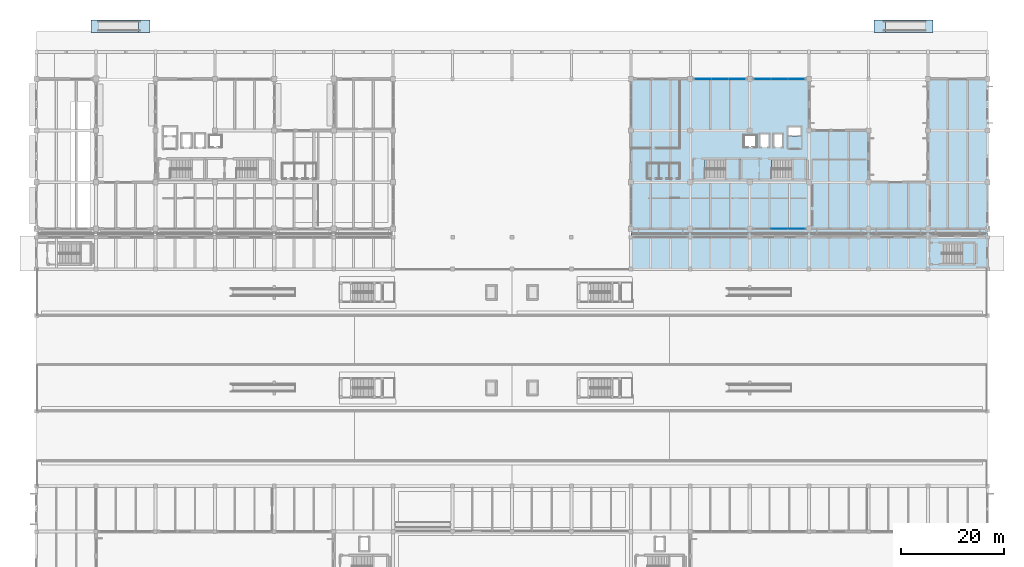
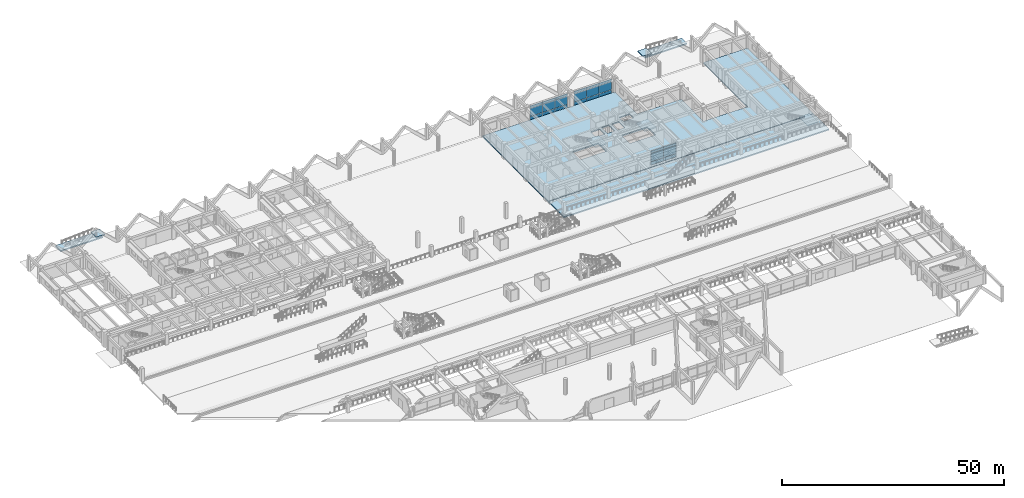
# One storey, part 76 of 109: 24 plates, 9 slabs, 8 elements without a shape of their own.
"""IFC4 building model written with IfcOpenShell, lengths in metres."""

from ifc_helpers import new_model, si_unit, direction, frame, origin, origin_2d, place, context, subcontext, project, spatial, polyline, rectangle, outline, extrude, material, layer, layer_set, type_object, element, aggregate, save


model = new_model("IFC4")

# Units and contexts
model_context = context("Model", 3, precision=1e-05, world=origin(), true_north=direction((0.0, 1.0)))
body_context = subcontext(model_context, "Body", "Model", "MODEL_VIEW")
ifc_project = project(units=[si_unit("LENGTHUNIT", "METRE"), si_unit("AREAUNIT", "SQUARE_METRE"), si_unit("VOLUMEUNIT", "CUBIC_METRE"), si_unit("PLANEANGLEUNIT", "RADIAN"), si_unit("MASSUNIT", "GRAM", prefix="KILO")], contexts=[model_context])

# Site, building, storey
site_placement = place(None, origin())
site = spatial("IfcSite", under=ifc_project, at=site_placement, CompositionType="ELEMENT")
building_placement = place(site_placement, origin())
building = spatial("IfcBuilding", under=site, at=building_placement, Name="Ologun Quay Terminus", CompositionType="ELEMENT")
storey_placement = place(building_placement, origin())
storey = spatial("IfcBuildingStorey", under=building, at=storey_placement, Name="L00", CompositionType="ELEMENT", Elevation=0.0)

# Curtain wall, plates
ifc_material_1 = material(Name="Aluminium 6063-T6", Category="aluminium")
curtain_wall_type = type_object("IfcCurtainWallType", Name="Waterfront Pavilion Harbour Curtain Wall L00 10500x3750", PredefinedType="USERDEFINED", material=ifc_material_1)
curtain_wall_1_placement = place(storey_placement, origin())
curtain_wall_1 = element("IfcCurtainWall", 1, at=curtain_wall_1_placement, inside=storey, type_object=curtain_wall_type, Name="CW-22 Curtain Wall CW-L00-120", ObjectType="UNITISED CURTAIN WALL", PredefinedType="USERDEFINED")
ifc_material_2 = material(Name="Glass", Category="glass")
ifc_layer_1 = layer(ifc_material_2, 0.031982421875)
ifc_layer_set_1 = layer_set([ifc_layer_1], Name="Glass")
plate_type_1 = type_object("IfcPlateType", Name="Acoustic Low-E Laminated Glazed Panel 32", PredefinedType="CURTAIN_PANEL", material=ifc_layer_set_1)
plate_1_placement = place(storey_placement, frame((128.99658203125, 114.800048828125, 0.929931640625), z_axis=(0.0, 0.0, 1.0), x_axis=(1.0, 0.0, 0.0)))
plate_1 = element("IfcPlate", 2, at=plate_1_placement, type_object=plate_type_1, Name="CW-L00-120 Panel B1-2", PredefinedType="CURTAIN_PANEL", context=body_context, shape_type="SweptSolid", body=[
    extrude(rectangle(XDim=3.25341796875, YDim=0.031982421875, at=origin_2d()), origin(), (0.0, 0.0, 1.0), 2.27001953125),
])
plate_2_placement = place(storey_placement, frame((128.99658203125, 114.800048828125, 3.26025390625), z_axis=(0.0, 0.0, 1.0), x_axis=(1.0, 0.0, 0.0)))
plate_2 = element("IfcPlate", 3, at=plate_2_placement, type_object=plate_type_1, Name="CW-L00-120 Panel B1-3", PredefinedType="CURTAIN_PANEL", context=body_context, shape_type="SweptSolid", body=[
    extrude(rectangle(XDim=3.25341796875, YDim=0.031982421875, at=origin_2d()), origin(), (0.0, 0.0, 1.0), 0.639892578125),
])
plate_3_placement = place(storey_placement, frame((132.25, 114.800048828125, 0.929931640625), z_axis=(0.0, 0.0, 1.0), x_axis=(1.0, 0.0, 0.0)))
plate_3 = element("IfcPlate", 4, at=plate_3_placement, type_object=plate_type_1, Name="CW-L00-120 Panel B2-2", PredefinedType="CURTAIN_PANEL", context=body_context, shape_type="SweptSolid", body=[
    extrude(rectangle(XDim=3.25341796875, YDim=0.031982421875, at=origin_2d()), origin(), (0.0, 0.0, 1.0), 2.27001953125),
])
plate_4_placement = place(storey_placement, frame((132.25, 114.800048828125, 3.26025390625), z_axis=(0.0, 0.0, 1.0), x_axis=(1.0, 0.0, 0.0)))
plate_4 = element("IfcPlate", 5, at=plate_4_placement, type_object=plate_type_1, Name="CW-L00-120 Panel B2-3", PredefinedType="CURTAIN_PANEL", context=body_context, shape_type="SweptSolid", body=[
    extrude(rectangle(XDim=3.25341796875, YDim=0.031982421875, at=origin_2d()), origin(), (0.0, 0.0, 1.0), 0.639892578125),
])
plate_5_placement = place(storey_placement, frame((135.50341796875, 114.800048828125, 0.929931640625), z_axis=(0.0, 0.0, 1.0), x_axis=(1.0, 0.0, 0.0)))
plate_5 = element("IfcPlate", 6, at=plate_5_placement, type_object=plate_type_1, Name="CW-L00-120 Panel B3-2", PredefinedType="CURTAIN_PANEL", context=body_context, shape_type="SweptSolid", body=[
    extrude(rectangle(XDim=3.25341796875, YDim=0.031982421875, at=origin_2d()), origin(), (0.0, 0.0, 1.0), 2.27001953125),
])
plate_6_placement = place(storey_placement, frame((135.50341796875, 114.800048828125, 3.26025390625), z_axis=(0.0, 0.0, 1.0), x_axis=(1.0, 0.0, 0.0)))
plate_6 = element("IfcPlate", 7, at=plate_6_placement, type_object=plate_type_1, Name="CW-L00-120 Panel B3-3", PredefinedType="CURTAIN_PANEL", context=body_context, shape_type="SweptSolid", body=[
    extrude(rectangle(XDim=3.25341796875, YDim=0.031982421875, at=origin_2d()), origin(), (0.0, 0.0, 1.0), 0.639892578125),
])

curtain_wall_2_placement = place(storey_placement, origin())
curtain_wall_2 = element("IfcCurtainWall", 8, at=curtain_wall_2_placement, inside=storey, type_object=curtain_wall_type, Name="CW-22 Curtain Wall CW-L00-121", ObjectType="UNITISED CURTAIN WALL", PredefinedType="USERDEFINED")
plate_7_placement = place(storey_placement, frame((140.49658203125, 114.800048828125, 0.929931640625), z_axis=(0.0, 0.0, 1.0), x_axis=(1.0, 0.0, 0.0)))
plate_7 = element("IfcPlate", 9, at=plate_7_placement, type_object=plate_type_1, Name="CW-L00-121 Panel B1-2", PredefinedType="CURTAIN_PANEL", context=body_context, shape_type="SweptSolid", body=[
    extrude(rectangle(XDim=3.25341796875, YDim=0.031982421875, at=origin_2d()), origin(), (0.0, 0.0, 1.0), 2.27001953125),
])
plate_8_placement = place(storey_placement, frame((140.49658203125, 114.800048828125, 3.26025390625), z_axis=(0.0, 0.0, 1.0), x_axis=(1.0, 0.0, 0.0)))
plate_8 = element("IfcPlate", 10, at=plate_8_placement, type_object=plate_type_1, Name="CW-L00-121 Panel B1-3", PredefinedType="CURTAIN_PANEL", context=body_context, shape_type="SweptSolid", body=[
    extrude(rectangle(XDim=3.25341796875, YDim=0.031982421875, at=origin_2d()), origin(), (0.0, 0.0, 1.0), 0.639892578125),
])
plate_9_placement = place(storey_placement, frame((143.75, 114.800048828125, 0.929931640625), z_axis=(0.0, 0.0, 1.0), x_axis=(1.0, 0.0, 0.0)))
plate_9 = element("IfcPlate", 11, at=plate_9_placement, type_object=plate_type_1, Name="CW-L00-121 Panel B2-2", PredefinedType="CURTAIN_PANEL", context=body_context, shape_type="SweptSolid", body=[
    extrude(rectangle(XDim=3.25341796875, YDim=0.031982421875, at=origin_2d()), origin(), (0.0, 0.0, 1.0), 2.27001953125),
])
plate_10_placement = place(storey_placement, frame((143.75, 114.800048828125, 3.26025390625), z_axis=(0.0, 0.0, 1.0), x_axis=(1.0, 0.0, 0.0)))
plate_10 = element("IfcPlate", 12, at=plate_10_placement, type_object=plate_type_1, Name="CW-L00-121 Panel B2-3", PredefinedType="CURTAIN_PANEL", context=body_context, shape_type="SweptSolid", body=[
    extrude(rectangle(XDim=3.25341796875, YDim=0.031982421875, at=origin_2d()), origin(), (0.0, 0.0, 1.0), 0.639892578125),
])
plate_11_placement = place(storey_placement, frame((147.00341796875, 114.800048828125, 0.929931640625), z_axis=(0.0, 0.0, 1.0), x_axis=(1.0, 0.0, 0.0)))
plate_11 = element("IfcPlate", 13, at=plate_11_placement, type_object=plate_type_1, Name="CW-L00-121 Panel B3-2", PredefinedType="CURTAIN_PANEL", context=body_context, shape_type="SweptSolid", body=[
    extrude(rectangle(XDim=3.25341796875, YDim=0.031982421875, at=origin_2d()), origin(), (0.0, 0.0, 1.0), 2.27001953125),
])
plate_12_placement = place(storey_placement, frame((147.00341796875, 114.800048828125, 3.26025390625), z_axis=(0.0, 0.0, 1.0), x_axis=(1.0, 0.0, 0.0)))
plate_12 = element("IfcPlate", 14, at=plate_12_placement, type_object=plate_type_1, Name="CW-L00-121 Panel B3-3", PredefinedType="CURTAIN_PANEL", context=body_context, shape_type="SweptSolid", body=[
    extrude(rectangle(XDim=3.25341796875, YDim=0.031982421875, at=origin_2d()), origin(), (0.0, 0.0, 1.0), 0.639892578125),
])

# Slabs
ifc_material_3 = material(Name="Concrete C40/50", Category="concrete")
ifc_layer_2 = layer(ifc_material_3, 0.320068359375)
ifc_layer_set_2 = layer_set([ifc_layer_2], Name="Concrete C40/50")
slab_type_1 = type_object("IfcSlabType", Name="Ground Podium Structural Slab 320", PredefinedType="FLOOR", material=ifc_layer_set_2)
slab_1_placement = place(storey_placement, frame((0.0, 0.0, -0.320068359375)))
element("IfcSlab", 15, at=slab_1_placement, inside=storey, type_object=slab_type_1, Name="SL-GND North Station Gallery Ground Slab E", PredefinedType="FLOOR", context=body_context, shape_type="SweptSolid", body=[
    extrude(outline(polyline([(115.0, 78.0), (184.0, 78.0), (184.0, 84.96240234375), (115.0, 84.96240234375), (115.0, 78.0)])), origin(), (0.0, 0.0, 1.0), 0.320068359375),
])
slab_2_placement = place(storey_placement, frame((0.0, 0.0, -0.320068359375)))
element("IfcSlab", 16, at=slab_2_placement, inside=storey, type_object=slab_type_1, Name="SL-GND North Wing Ground Slab EWNG", PredefinedType="FLOOR", context=body_context, shape_type="SweptSolid", body=[
    extrude(outline(polyline([(115.0, 85.03759765625), (184.0, 85.03759765625), (184.0, 114.800048828125), (172.5, 114.800048828125), (172.5, 94.800048828125), (161.0, 94.800048828125), (161.0, 104.800048828125), (149.5, 104.800048828125), (149.5, 114.800048828125), (115.0, 114.800048828125), (115.0, 85.03759765625)]), holes=[polyline([(145.35009765625, 103.780029296875), (145.35009765625, 105.6201171875), (148.050048828125, 105.6201171875), (148.050048828125, 103.780029296875), (145.35009765625, 103.780029296875)]), polyline([(139.89990234375, 101.5), (139.89990234375, 104.199951171875), (141.800048828125, 104.199951171875), (141.800048828125, 101.5), (139.89990234375, 101.5)]), polyline([(142.550048828125, 101.5), (142.550048828125, 104.199951171875), (144.449951171875, 104.199951171875), (144.449951171875, 101.5), (142.550048828125, 101.5)]), polyline([(129.3798828125, 95.550048828125), (129.3798828125, 99.14990234375), (136.14990234375, 99.14990234375), (136.14990234375, 95.550048828125), (129.3798828125, 95.550048828125)]), polyline([(142.22998046875, 95.550048828125), (142.22998046875, 99.14990234375), (148.949951171875, 99.14990234375), (148.949951171875, 95.550048828125), (142.22998046875, 95.550048828125)]), polyline([(136.89990234375, 101.60009765625), (136.89990234375, 103.89990234375), (139.300048828125, 103.89990234375), (139.300048828125, 101.60009765625), (136.89990234375, 101.60009765625)])]), origin(), (0.0, 0.0, 1.0), 0.320068359375),
])

# Curtain wall, plates
curtain_wall_3_placement = place(storey_placement, origin())
curtain_wall_3 = element("IfcCurtainWall", 17, at=curtain_wall_3_placement, inside=storey, type_object=curtain_wall_type, Name="CW-22 Curtain Wall CW-L00-119", ObjectType="UNITISED CURTAIN WALL", PredefinedType="USERDEFINED")
ifc_material_4 = material(Name="Aluminium 6063-T6", Category="aluminium")
ifc_layer_3 = layer(ifc_material_4, 0.050048828125)
ifc_layer_set_3 = layer_set([ifc_layer_3], Name="Aluminium 6063-T6")
plate_type_2 = type_object("IfcPlateType", Name="Insulated Aluminium Shadow-Box Spandrel 50", PredefinedType="CURTAIN_PANEL", material=ifc_layer_set_3)
plate_13_placement = place(storey_placement, frame((143.75, 85.800048828125, 0.02978515625), z_axis=(0.0, 0.0, 1.0), x_axis=(1.0, 0.0, 0.0)))
plate_13 = element("IfcPlate", 18, at=plate_13_placement, type_object=plate_type_2, Name="CW-L00-119 Panel B2-1", PredefinedType="CURTAIN_PANEL", context=body_context, shape_type="SweptSolid", body=[
    extrude(rectangle(XDim=3.25341796875, YDim=0.050048828125, at=origin_2d()), origin(), (0.0, 0.0, 1.0), 0.840087890625),
])
plate_14_placement = place(storey_placement, frame((147.00341796875, 85.800048828125, 0.02978515625), z_axis=(0.0, 0.0, 1.0), x_axis=(1.0, 0.0, 0.0)))
plate_14 = element("IfcPlate", 19, at=plate_14_placement, type_object=plate_type_2, Name="CW-L00-119 Panel B3-1", PredefinedType="CURTAIN_PANEL", context=body_context, shape_type="SweptSolid", body=[
    extrude(rectangle(XDim=3.25341796875, YDim=0.050048828125, at=origin_2d()), origin(), (0.0, 0.0, 1.0), 0.840087890625),
])

# Plate
plate_15_placement = place(storey_placement, frame((128.99658203125, 114.800048828125, 0.02978515625), z_axis=(0.0, 0.0, 1.0), x_axis=(1.0, 0.0, 0.0)))
plate_15 = element("IfcPlate", 20, at=plate_15_placement, type_object=plate_type_2, Name="CW-L00-120 Panel B1-1", PredefinedType="CURTAIN_PANEL", context=body_context, shape_type="SweptSolid", body=[
    extrude(rectangle(XDim=3.25341796875, YDim=0.050048828125, at=origin_2d()), origin(), (0.0, 0.0, 1.0), 0.840087890625),
])

plate_16_placement = place(storey_placement, frame((132.25, 114.800048828125, 0.02978515625), z_axis=(0.0, 0.0, 1.0), x_axis=(1.0, 0.0, 0.0)))
plate_16 = element("IfcPlate", 21, at=plate_16_placement, type_object=plate_type_2, Name="CW-L00-120 Panel B2-1", PredefinedType="CURTAIN_PANEL", context=body_context, shape_type="SweptSolid", body=[
    extrude(rectangle(XDim=3.25341796875, YDim=0.050048828125, at=origin_2d()), origin(), (0.0, 0.0, 1.0), 0.840087890625),
])

plate_17_placement = place(storey_placement, frame((135.50341796875, 114.800048828125, 0.02978515625), z_axis=(0.0, 0.0, 1.0), x_axis=(1.0, 0.0, 0.0)))
plate_17 = element("IfcPlate", 22, at=plate_17_placement, type_object=plate_type_2, Name="CW-L00-120 Panel B3-1", PredefinedType="CURTAIN_PANEL", context=body_context, shape_type="SweptSolid", body=[
    extrude(rectangle(XDim=3.25341796875, YDim=0.050048828125, at=origin_2d()), origin(), (0.0, 0.0, 1.0), 0.840087890625),
])

aggregate(curtain_wall_1, [plate_15, plate_1, plate_2, plate_16, plate_3, plate_4, plate_17, plate_5, plate_6])

plate_18_placement = place(storey_placement, frame((140.49658203125, 114.800048828125, 0.02978515625), z_axis=(0.0, 0.0, 1.0), x_axis=(1.0, 0.0, 0.0)))
plate_18 = element("IfcPlate", 23, at=plate_18_placement, type_object=plate_type_2, Name="CW-L00-121 Panel B1-1", PredefinedType="CURTAIN_PANEL", context=body_context, shape_type="SweptSolid", body=[
    extrude(rectangle(XDim=3.25341796875, YDim=0.050048828125, at=origin_2d()), origin(), (0.0, 0.0, 1.0), 0.840087890625),
])

plate_19_placement = place(storey_placement, frame((143.75, 114.800048828125, 0.02978515625), z_axis=(0.0, 0.0, 1.0), x_axis=(1.0, 0.0, 0.0)))
plate_19 = element("IfcPlate", 24, at=plate_19_placement, type_object=plate_type_2, Name="CW-L00-121 Panel B2-1", PredefinedType="CURTAIN_PANEL", context=body_context, shape_type="SweptSolid", body=[
    extrude(rectangle(XDim=3.25341796875, YDim=0.050048828125, at=origin_2d()), origin(), (0.0, 0.0, 1.0), 0.840087890625),
])

plate_20_placement = place(storey_placement, frame((147.00341796875, 114.800048828125, 0.02978515625), z_axis=(0.0, 0.0, 1.0), x_axis=(1.0, 0.0, 0.0)))
plate_20 = element("IfcPlate", 25, at=plate_20_placement, type_object=plate_type_2, Name="CW-L00-121 Panel B3-1", PredefinedType="CURTAIN_PANEL", context=body_context, shape_type="SweptSolid", body=[
    extrude(rectangle(XDim=3.25341796875, YDim=0.050048828125, at=origin_2d()), origin(), (0.0, 0.0, 1.0), 0.840087890625),
])

aggregate(curtain_wall_2, [plate_18, plate_7, plate_8, plate_19, plate_9, plate_10, plate_20, plate_11, plate_12])

# Stair, slab
ifc_material_5 = material(Name="Concrete C40/50", Category="concrete")
stair_type_1 = type_object("IfcStairType", Name="Courtyard Wing Core Escape Stair 1700", PredefinedType="HALF_TURN_STAIR", material=ifc_material_5)
stair_1_placement = place(storey_placement, origin())
stair_1 = element("IfcStair", 26, at=stair_1_placement, inside=storey, type_object=stair_type_1, Name="ST-E1 Stair L00", PredefinedType="HALF_TURN_STAIR")
ifc_material_6 = material(Name="Precast Concrete C40/50", Category="concrete")
ifc_layer_4 = layer(ifc_material_6, 0.179931640625)
ifc_layer_set_4 = layer_set([ifc_layer_4], Name="Precast Concrete C40/50")
slab_type_2 = type_object("IfcSlabType", Name="Precast Stair Half-Landing Slab 180", PredefinedType="LANDING", material=ifc_layer_set_4)
slab_3_placement = place(storey_placement, frame((0.0, 0.0, 1.919921875)))
slab_3 = element("IfcSlab", 27, at=slab_3_placement, type_object=slab_type_2, Name="ST-E1 Half-Landing L00", PredefinedType="LANDING", context=body_context, shape_type="SweptSolid", body=[
    extrude(outline(polyline([(133.219970703125, 95.469970703125), (136.22998046875, 95.469970703125), (136.22998046875, 99.22998046875), (133.219970703125, 99.22998046875), (133.219970703125, 95.469970703125)])), origin(), (0.0, 0.0, 1.0), 0.18017578125),
])
aggregate(stair_1, [slab_3])

stair_2_placement = place(storey_placement, origin())
stair_2 = element("IfcStair", 28, at=stair_2_placement, inside=storey, type_object=stair_type_1, Name="ST-E2 Stair L00", PredefinedType="HALF_TURN_STAIR")
slab_4_placement = place(storey_placement, frame((0.0, 0.0, 1.919921875)))
slab_4 = element("IfcSlab", 29, at=slab_4_placement, type_object=slab_type_2, Name="ST-E2 Half-Landing L00", PredefinedType="LANDING", context=body_context, shape_type="SweptSolid", body=[
    extrude(outline(polyline([(146.070068359375, 95.469970703125), (149.030029296875, 95.469970703125), (149.030029296875, 99.22998046875), (146.070068359375, 99.22998046875), (146.070068359375, 95.469970703125)])), origin(), (0.0, 0.0, 1.0), 0.18017578125),
])
aggregate(stair_2, [slab_4])

ifc_material_7 = material(Name="Concrete C40/50", Category="concrete")
stair_type_2 = type_object("IfcStairType", Name="Station Concourse Escape Stair 1800", PredefinedType="HALF_TURN_STAIR", material=ifc_material_7)
stair_3_placement = place(storey_placement, origin())
stair_3 = element("IfcStair", 30, at=stair_3_placement, inside=storey, type_object=stair_type_2, Name="ST-NG2 Stair L00", PredefinedType="HALF_TURN_STAIR")
slab_5_placement = place(storey_placement, frame((0.0, 0.0, 1.919921875)))
slab_5 = element("IfcSlab", 31, at=slab_5_placement, type_object=slab_type_2, Name="ST-NG2 Half-Landing L00", PredefinedType="LANDING", context=body_context, shape_type="SweptSolid", body=[
    extrude(outline(polyline([(179.070068359375, 79.02001953125), (181.72998046875, 79.02001953125), (181.72998046875, 82.97998046875), (179.070068359375, 82.97998046875), (179.070068359375, 79.02001953125)])), origin(), (0.0, 0.0, 1.0), 0.18017578125),
])
aggregate(stair_3, [slab_5])

# Ramp, slabs
ifc_material_8 = material(Name="Concrete C40/50", Category="concrete")
ramp_type = type_object("IfcRampType", Name="Accessible Quay Approach Ramp 1800", PredefinedType="STRAIGHT_RUN_RAMP", material=ifc_material_8)
ramp_1_placement = place(storey_placement, origin())
ramp_1 = element("IfcRamp", 32, at=ramp_1_placement, inside=storey, type_object=ramp_type, Name="Accessible Approach Ramp RMP-N-W", PredefinedType="STRAIGHT_RUN_RAMP")
slab_6_placement = place(storey_placement, frame((0.0, 0.0, -0.260009765625)))
slab_6 = element("IfcSlab", 33, at=slab_6_placement, type_object=slab_type_2, Name="Ramp Arrival Landing RMP-N-W", PredefinedType="LANDING", context=body_context, shape_type="SweptSolid", body=[
    extrude(outline(polyline([(19.75, 123.800048828125), (22.0, 123.800048828125), (22.0, 126.199951171875), (19.75, 126.199951171875), (19.75, 123.800048828125)])), origin(), (0.0, 0.0, 1.0), 0.260009765625),
])
slab_7_placement = place(storey_placement, frame((0.0, 0.0, -0.820068359375)))
slab_7 = element("IfcSlab", 34, at=slab_7_placement, type_object=slab_type_2, Name="Ramp Foot Landing RMP-N-W", PredefinedType="LANDING", context=body_context, shape_type="SweptSolid", body=[
    extrude(outline(polyline([(10.5, 123.800048828125), (21.5, 123.800048828125), (21.5, 126.199951171875), (10.5, 126.199951171875), (10.5, 123.800048828125)])), origin(), (0.0, 0.0, 1.0), 0.320068359375),
])
aggregate(ramp_1, [slab_6, slab_7])

ramp_2_placement = place(storey_placement, origin())
ramp_2 = element("IfcRamp", 35, at=ramp_2_placement, inside=storey, type_object=ramp_type, Name="Accessible Approach Ramp RMP-N-E", PredefinedType="STRAIGHT_RUN_RAMP")
slab_8_placement = place(storey_placement, frame((0.0, 0.0, -0.260009765625)))
slab_8 = element("IfcSlab", 36, at=slab_8_placement, type_object=slab_type_2, Name="Ramp Arrival Landing RMP-N-E", PredefinedType="LANDING", context=body_context, shape_type="SweptSolid", body=[
    extrude(outline(polyline([(162.0, 123.800048828125), (164.25, 123.800048828125), (164.25, 126.199951171875), (162.0, 126.199951171875), (162.0, 123.800048828125)])), origin(), (0.0, 0.0, 1.0), 0.260009765625),
])
slab_9_placement = place(storey_placement, frame((0.0, 0.0, -0.820068359375)))
slab_9 = element("IfcSlab", 37, at=slab_9_placement, type_object=slab_type_2, Name="Ramp Foot Landing RMP-N-E", PredefinedType="LANDING", context=body_context, shape_type="SweptSolid", body=[
    extrude(outline(polyline([(162.5, 123.800048828125), (173.5, 123.800048828125), (173.5, 126.199951171875), (162.5, 126.199951171875), (162.5, 123.800048828125)])), origin(), (0.0, 0.0, 1.0), 0.320068359375),
])
aggregate(ramp_2, [slab_8, slab_9])

# Plate
ifc_material_9 = material(Name="Glass", Category="glass")
ifc_layer_5 = layer(ifc_material_9, 0.028076171875)
ifc_layer_set_5 = layer_set([ifc_layer_5], Name="Glass")
plate_type_3 = type_object("IfcPlateType", Name="Solar-Control Double Glazed Panel 28", PredefinedType="CURTAIN_PANEL", material=ifc_layer_set_5)
plate_21_placement = place(storey_placement, frame((143.75, 85.800048828125, 0.929931640625), z_axis=(0.0, 0.0, 1.0), x_axis=(1.0, 0.0, 0.0)))
plate_21 = element("IfcPlate", 38, at=plate_21_placement, type_object=plate_type_3, Name="CW-L00-119 Panel B2-2", PredefinedType="CURTAIN_PANEL", context=body_context, shape_type="SweptSolid", body=[
    extrude(rectangle(XDim=3.25341796875, YDim=0.028076171875, at=origin_2d()), origin(), (0.0, 0.0, 1.0), 2.27001953125),
])

plate_22_placement = place(storey_placement, frame((143.75, 85.800048828125, 3.26025390625), z_axis=(0.0, 0.0, 1.0), x_axis=(1.0, 0.0, 0.0)))
plate_22 = element("IfcPlate", 39, at=plate_22_placement, type_object=plate_type_3, Name="CW-L00-119 Panel B2-3", PredefinedType="CURTAIN_PANEL", context=body_context, shape_type="SweptSolid", body=[
    extrude(rectangle(XDim=3.25341796875, YDim=0.028076171875, at=origin_2d()), origin(), (0.0, 0.0, 1.0), 0.639892578125),
])

plate_23_placement = place(storey_placement, frame((147.00341796875, 85.800048828125, 0.929931640625), z_axis=(0.0, 0.0, 1.0), x_axis=(1.0, 0.0, 0.0)))
plate_23 = element("IfcPlate", 40, at=plate_23_placement, type_object=plate_type_3, Name="CW-L00-119 Panel B3-2", PredefinedType="CURTAIN_PANEL", context=body_context, shape_type="SweptSolid", body=[
    extrude(rectangle(XDim=3.25341796875, YDim=0.028076171875, at=origin_2d()), origin(), (0.0, 0.0, 1.0), 2.27001953125),
])

plate_24_placement = place(storey_placement, frame((147.00341796875, 85.800048828125, 3.26025390625), z_axis=(0.0, 0.0, 1.0), x_axis=(1.0, 0.0, 0.0)))
plate_24 = element("IfcPlate", 41, at=plate_24_placement, type_object=plate_type_3, Name="CW-L00-119 Panel B3-3", PredefinedType="CURTAIN_PANEL", context=body_context, shape_type="SweptSolid", body=[
    extrude(rectangle(XDim=3.25341796875, YDim=0.028076171875, at=origin_2d()), origin(), (0.0, 0.0, 1.0), 0.639892578125),
])

aggregate(curtain_wall_3, [plate_13, plate_21, plate_22, plate_14, plate_23, plate_24])

save(model, "model.ifc")
